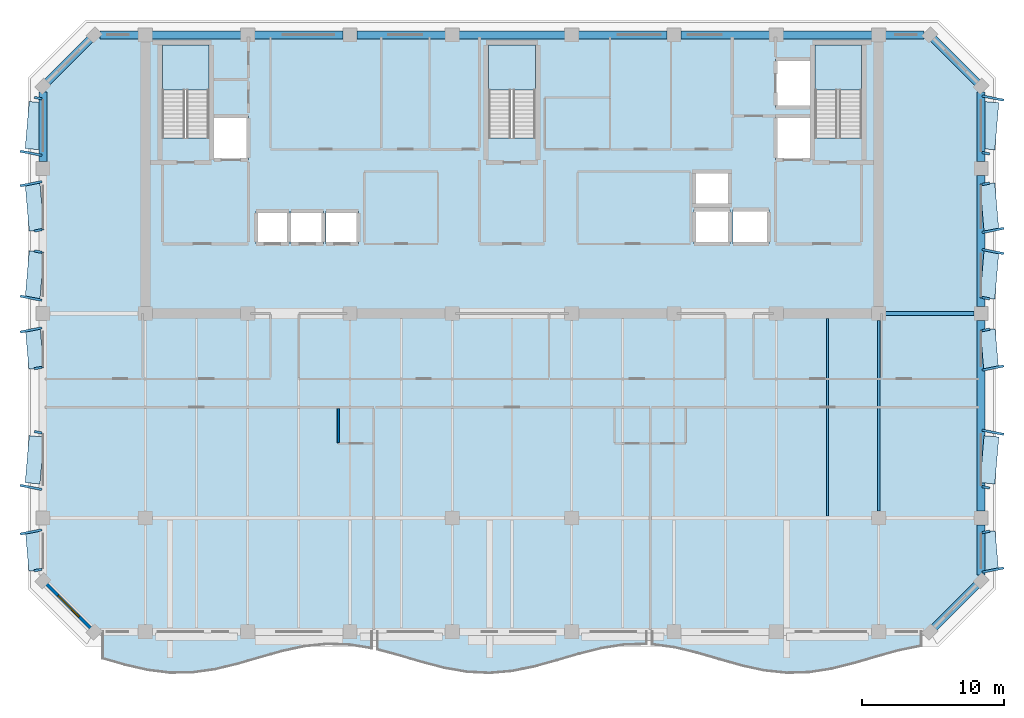
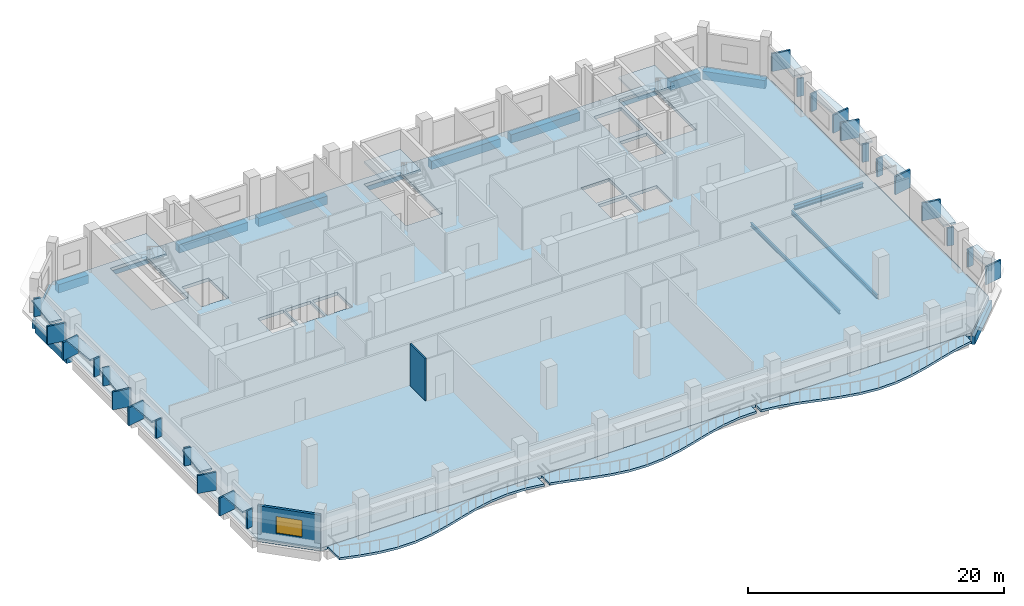
# One storey, part 2 of 10: 36 plates, 20 beams, 7 slabs, 2 walls, 1 window, 1 opening, 3 elements without a shape of their own.
"""IFC4 building model written with IfcOpenShell, lengths in metres."""

from ifc_helpers import new_model, si_unit, direction, frame, frame_2d, origin, origin_2d, place, context, subcontext, project, spatial, polyline, rectangle, i_section, outline, extrude, material, layer, layer_set, material_profile, profile_set, type_object, element, fill, aggregate, save


model = new_model("IFC4")

# Units and contexts
model_context = context("Model", 3, precision=1e-05, world=origin(), true_north=direction((0.0, 1.0)))
body_context = subcontext(model_context, "Body", "Model", "MODEL_VIEW")
ifc_project = project(units=[si_unit("LENGTHUNIT", "METRE"), si_unit("AREAUNIT", "SQUARE_METRE"), si_unit("VOLUMEUNIT", "CUBIC_METRE"), si_unit("PLANEANGLEUNIT", "RADIAN"), si_unit("MASSUNIT", "GRAM", prefix="KILO")], contexts=[model_context])

# Site, building, storey
site_placement = place(None, origin())
site = spatial("IfcSite", under=ifc_project, at=site_placement, CompositionType="ELEMENT")
building_placement = place(site_placement, origin())
building = spatial("IfcBuilding", under=site, at=building_placement, Name="Kaelvorn Grand Hotel", CompositionType="ELEMENT")
storey_placement = place(building_placement, frame((0.0, 0.0, 290.300048828125)))
storey = spatial("IfcBuildingStorey", under=building, at=storey_placement, Name="L71", CompositionType="ELEMENT", Elevation=290.300048828125)

# Beams
ifc_material_1 = material(Name="Steel S355", Category="steel")
ifc_material_profile_1 = material_profile(ifc_material_1, i_section(OverallWidth=0.300048828125, OverallDepth=0.43994140625, WebThickness=0.011474609375, FlangeThickness=0.02099609375, FilletRadius=0.027099609375, at=origin_2d()), Name="HEA 450")
ifc_profile_set_1 = profile_set([ifc_material_profile_1], Name="Steel S355")
beam_type_1 = type_object("IfcBeamType", Name="BM-G-HEA450-S355", PredefinedType="BEAM", material=ifc_profile_set_1)
beam_1_placement = place(storey_placement, frame((68.284912109375, 29.39990234375, -0.52001953125), z_axis=(1.0, 0.0, 0.0), x_axis=(0.0, 1.0, 0.0)))
element("IfcBeam", 1, at=beam_1_placement, inside=storey, type_object=beam_type_1, Name="L71 East Core Wing Steel Girder G-29E 01", PredefinedType="BEAM", context=body_context, shape_type="SweptSolid", body=[
    extrude(i_section(OverallWidth=0.300048828125, OverallDepth=0.43994140625, WebThickness=0.011474609375, FlangeThickness=0.02099609375, FilletRadius=0.027099609375, at=origin_2d()), origin(), (0.0, 0.0, 1.0), 6.22998046875),
])
ifc_material_profile_2 = material_profile(ifc_material_1, i_section(OverallWidth=0.169921875, OverallDepth=0.360107421875, WebThickness=0.008056640625, FlangeThickness=0.0126953125, FilletRadius=0.01806640625, at=origin_2d()), Name="IPE 360")
ifc_profile_set_2 = profile_set([ifc_material_profile_2], Name="Steel S355")
beam_type_2 = type_object("IfcBeamType", Name="BM-J-IPE360-S355", PredefinedType="JOIST", material=ifc_profile_set_2)
beam_2_placement = place(storey_placement, frame((64.199951171875, 15.135009765625, -0.47998046875), z_axis=(0.0, 1.0, 0.0), x_axis=(-1.0, 0.0, 0.0)))
element("IfcBeam", 2, at=beam_2_placement, inside=storey, type_object=beam_type_2, Name="L71 Composite Floor Joist JM-18", PredefinedType="JOIST", context=body_context, shape_type="SweptSolid", body=[
    extrude(i_section(OverallWidth=0.169921875, OverallDepth=0.360107421875, WebThickness=0.008056640625, FlangeThickness=0.0126953125, FilletRadius=0.01806640625, at=origin_2d()), origin(), (0.0, 0.0, 1.0), 13.925048828125),
])
beam_3_placement = place(storey_placement, frame((67.800048828125, 15.485107421875, -0.47998046875), z_axis=(0.0, 1.0, 0.0), x_axis=(-1.0, 0.0, 0.0)))
element("IfcBeam", 3, at=beam_3_placement, inside=storey, type_object=beam_type_2, Name="L71 Composite Floor Joist JM-19", PredefinedType="JOIST", context=body_context, shape_type="SweptSolid", body=[
    extrude(i_section(OverallWidth=0.169921875, OverallDepth=0.360107421875, WebThickness=0.008056640625, FlangeThickness=0.0126953125, FilletRadius=0.01806640625, at=origin_2d()), origin(), (0.0, 0.0, 1.0), 13.429931640625),
])
ifc_material_2 = material(Name="Concrete C50/60", Category="concrete")
ifc_material_profile_3 = material_profile(ifc_material_2, rectangle(XDim=0.550048828125, YDim=0.800048828125, at=origin_2d()), Name="RC SPANDREL 550x800")
ifc_profile_set_3 = profile_set([ifc_material_profile_3], Name="Concrete C50/60")
beam_type_3 = type_object("IfcBeamType", Name="BM-SP-550x800-C50", PredefinedType="SPANDREL", material=ifc_profile_set_3)
beam_4_placement = place(storey_placement, frame((13.0048828125, 49.0, -0.699951171875), z_axis=(1.0, 0.0, 0.0), x_axis=(0.0, 1.0, 0.0)))
element("IfcBeam", 4, at=beam_4_placement, inside=storey, type_object=beam_type_3, Name="L71 North Perimeter Spandrel 01", PredefinedType="SPANDREL", context=body_context, shape_type="SweptSolid", body=[
    extrude(rectangle(XDim=0.550048828125, YDim=0.800048828125, at=origin_2d()), origin(), (0.0, 0.0, 1.0), 2.710205078125),
])
for number, where, z_axis, x_axis, name in (
    (5, (16.68505859375, 49.0, -0.699951171875), (1.0, 0.0, 0.0), (0.0, 1.0, 0.0), "L71 North Perimeter Spandrel 02"),
    (6, (23.885009765625, 49.0, -0.699951171875), (1.0, 0.0, 0.0), (0.0, 1.0, 0.0), "L71 North Perimeter Spandrel 03"),
    (7, (31.0849609375, 49.0, -0.699951171875), (1.0, 0.0, 0.0), (0.0, 1.0, 0.0), "L71 North Perimeter Spandrel 04"),
):
    element("IfcBeam", number, at=place(storey_placement, frame(where, z_axis=z_axis, x_axis=x_axis)), inside=storey, type_object=beam_type_3, Name=name, PredefinedType="SPANDREL", context=body_context, shape_type="SweptSolid", body=[
        extrude(rectangle(XDim=0.550048828125, YDim=0.800048828125, at=origin_2d()), origin(), (0.0, 0.0, 1.0), 6.22998046875),
    ])
beam_5_placement = place(storey_placement, frame((38.284912109375, 49.0, -0.699951171875), z_axis=(1.0, 0.0, 0.0), x_axis=(0.0, 1.0, 0.0)))
element("IfcBeam", 8, at=beam_5_placement, inside=storey, type_object=beam_type_3, Name="L71 North Perimeter Spandrel 05", PredefinedType="SPANDREL", context=body_context, shape_type="SweptSolid", body=[
    extrude(rectangle(XDim=0.550048828125, YDim=0.800048828125, at=origin_2d()), origin(), (0.0, 0.0, 1.0), 7.43017578125),
])
for number, where, z_axis, x_axis, name in (
    (9, (46.68505859375, 49.0, -0.699951171875), (1.0, 0.0, 0.0), (0.0, 1.0, 0.0), "L71 North Perimeter Spandrel 06"),
    (10, (53.885009765625, 49.0, -0.699951171875), (1.0, 0.0, 0.0), (0.0, 1.0, 0.0), "L71 North Perimeter Spandrel 07"),
    (11, (61.0849609375, 49.0, -0.699951171875), (1.0, 0.0, 0.0), (0.0, 1.0, 0.0), "L71 North Perimeter Spandrel 08"),
):
    element("IfcBeam", number, at=place(storey_placement, frame(where, z_axis=z_axis, x_axis=x_axis)), inside=storey, type_object=beam_type_3, Name=name, PredefinedType="SPANDREL", context=body_context, shape_type="SweptSolid", body=[
        extrude(rectangle(XDim=0.550048828125, YDim=0.800048828125, at=origin_2d()), origin(), (0.0, 0.0, 1.0), 6.22998046875),
    ])
beam_6_placement = place(storey_placement, frame((68.284912109375, 49.0, -0.699951171875), z_axis=(1.0, 0.0, 0.0), x_axis=(0.0, 1.0, 0.0)))
element("IfcBeam", 12, at=beam_6_placement, inside=storey, type_object=beam_type_3, Name="L71 North Perimeter Spandrel 09", PredefinedType="SPANDREL", context=body_context, shape_type="SweptSolid", body=[
    extrude(rectangle(XDim=0.550048828125, YDim=0.800048828125, at=origin_2d()), origin(), (0.0, 0.0, 1.0), 2.710205078125),
])
beam_7_placement = place(storey_placement, frame((9.0, 40.0849609375, -0.699951171875), z_axis=(0.0, 1.0, 0.0), x_axis=(-1.0, 0.0, 0.0)))
element("IfcBeam", 13, at=beam_7_placement, inside=storey, type_object=beam_type_3, Name="L71 West Perimeter Spandrel 04", PredefinedType="SPANDREL", context=body_context, shape_type="SweptSolid", body=[
    extrude(rectangle(XDim=0.550048828125, YDim=0.800048828125, at=origin_2d()), origin(), (0.0, 0.0, 1.0), 4.91015625),
])
beam_8_placement = place(storey_placement, frame((75.0, 11.0048828125, -0.699951171875), z_axis=(0.0, 1.0, 0.0), x_axis=(-1.0, 0.0, 0.0)))
element("IfcBeam", 14, at=beam_8_placement, inside=storey, type_object=beam_type_3, Name="L71 East Perimeter Spandrel 01", PredefinedType="SPANDREL", context=body_context, shape_type="SweptSolid", body=[
    extrude(rectangle(XDim=0.550048828125, YDim=0.800048828125, at=origin_2d()), origin(), (0.0, 0.0, 1.0), 3.510009765625),
])
beam_9_placement = place(storey_placement, frame((75.0, 15.485107421875, -0.699951171875), z_axis=(0.0, 1.0, 0.0), x_axis=(-1.0, 0.0, 0.0)))
element("IfcBeam", 15, at=beam_9_placement, inside=storey, type_object=beam_type_3, Name="L71 East Perimeter Spandrel 02", PredefinedType="SPANDREL", context=body_context, shape_type="SweptSolid", body=[
    extrude(rectangle(XDim=0.550048828125, YDim=0.800048828125, at=origin_2d()), origin(), (0.0, 0.0, 1.0), 13.429931640625),
])
beam_10_placement = place(storey_placement, frame((75.0, 29.885009765625, -0.699951171875), z_axis=(0.0, 1.0, 0.0), x_axis=(-1.0, 0.0, 0.0)))
element("IfcBeam", 16, at=beam_10_placement, inside=storey, type_object=beam_type_3, Name="L71 East Perimeter Spandrel 03", PredefinedType="SPANDREL", context=body_context, shape_type="SweptSolid", body=[
    extrude(rectangle(XDim=0.550048828125, YDim=0.800048828125, at=origin_2d()), origin(), (0.0, 0.0, 1.0), 9.22998046875),
])
beam_11_placement = place(storey_placement, frame((75.0, 40.0849609375, -0.699951171875), z_axis=(0.0, 1.0, 0.0), x_axis=(-1.0, 0.0, 0.0)))
element("IfcBeam", 17, at=beam_11_placement, inside=storey, type_object=beam_type_3, Name="L71 East Perimeter Spandrel 04", PredefinedType="SPANDREL", context=body_context, shape_type="SweptSolid", body=[
    extrude(rectangle(XDim=0.550048828125, YDim=0.800048828125, at=origin_2d()), origin(), (0.0, 0.0, 1.0), 4.91015625),
])
for number, where, z_axis, x_axis, name in (
    (18, (71.39990234375, 7.0, -0.699951171875), (0.707106781187, 0.707106781187, 0.0), (-0.707106781187, 0.707106781187, 0.0), "L71 Chamfer Spandrel Beam 1"),
    (19, (75.0, 45.39990234375, -0.699951171875), (-0.707106781187, 0.707106781187, 0.0), (-0.707106781187, -0.707106781187, 0.0), "L71 Chamfer Spandrel Beam 2"),
    (20, (12.60009765625, 49.0, -0.699951171875), (-0.707106781187, -0.707106781187, 0.0), (0.707106781187, -0.707106781187, 0.0), "L71 Chamfer Spandrel Beam 3"),
):
    element("IfcBeam", number, at=place(storey_placement, frame(where, z_axis=z_axis, x_axis=x_axis)), inside=storey, type_object=beam_type_3, Name=name, PredefinedType="SPANDREL", context=body_context, shape_type="SweptSolid", body=[
        extrude(rectangle(XDim=0.550048828125, YDim=0.800048828125, at=origin_2d()), origin(), (0.0, 0.0, 1.0), 5.09130859375),
    ])

# Plates
ifc_material_3 = material(Name="Precast concrete C45/55", Category="concrete")
ifc_layer_1 = layer(ifc_material_3, 0.159912109375)
ifc_layer_set_1 = layer_set([ifc_layer_1], Name="Precast concrete C45/55")
plate_type_1 = type_object("IfcPlateType", Name="PL-FRAME-DEEP-1550", PredefinedType="USERDEFINED", material=ifc_layer_set_1)
for number, where, z_axis, x_axis, name in (
    (21, (75.844970703125, 11.344970703125, 0.73974609375), (0.0, 0.0, 1.0), (-0.190808995377, 0.981627183448, 0.0), "L71 Tilted Precast Window Frame Fin L-E01"),
    (22, (75.844970703125, 21.0400390625, 0.81494140625), (0.0, 0.0, 1.0), (0.190808995377, 0.981627183448, 0.0), "L71 Tilted Precast Window Frame Fin R-E02"),
    (23, (75.844970703125, 25.56005859375, 0.73974609375), (0.0, 0.0, 1.0), (-0.190808995377, 0.981627183448, 0.0), "L71 Tilted Precast Window Frame Fin L-E03"),
    (24, (75.844970703125, 33.7548828125, 0.73974609375), (0.0, 0.0, 1.0), (0.190808995377, 0.981627183448, 0.0), "L71 Tilted Precast Window Frame Fin R-E04"),
    (25, (75.844970703125, 35.2451171875, 0.73974609375), (0.0, 0.0, 1.0), (-0.190808995377, 0.981627183448, 0.0), "L71 Tilted Precast Window Frame Fin L-E05"),
    (26, (75.844970703125, 44.554931640625, 0.81494140625), (0.0, 0.0, 1.0), (0.190808995377, 0.981627183448, 0.0), "L71 Tilted Precast Window Frame Fin R-E06"),
    (27, (8.155029296875, 14.02490234375, 0.73974609375), (0.0, 0.0, 1.0), (-0.190808995377, 0.981627183448, 0.0), "L71 Tilted Precast Window Frame Fin R-W01"),
    (28, (8.155029296875, 17.159912109375, 0.81494140625), (0.0, 0.0, 1.0), (0.190808995377, 0.981627183448, 0.0), "L71 Tilted Precast Window Frame Fin L-W02"),
    (29, (8.155029296875, 28.239990234375, 0.73974609375), (0.0, 0.0, 1.0), (-0.190808995377, 0.981627183448, 0.0), "L71 Tilted Precast Window Frame Fin R-W03"),
    (30, (8.155029296875, 30.47509765625, 0.73974609375), (0.0, 0.0, 1.0), (0.190808995377, 0.981627183448, 0.0), "L71 Tilted Precast Window Frame Fin L-W04"),
    (31, (8.155029296875, 38.52490234375, 0.73974609375), (0.0, 0.0, 1.0), (-0.190808995377, 0.981627183448, 0.0), "L71 Tilted Precast Window Frame Fin R-W05"),
    (32, (8.155029296875, 40.675048828125, 0.81494140625), (0.0, 0.0, 1.0), (0.190808995377, 0.981627183448, 0.0), "L71 Tilted Precast Window Frame Fin L-W06"),
):
    element("IfcPlate", number, at=place(storey_placement, frame(where, z_axis=z_axis, x_axis=x_axis)), inside=storey, type_object=plate_type_1, Name=name, ObjectType="FLANGE_PLATE", PredefinedType="USERDEFINED", context=body_context, shape_type="SweptSolid", body=[
        extrude(rectangle(XDim=0.159912109375, YDim=1.550048828125, at=origin_2d()), origin(), (0.0, 0.0, 1.0), 1.719970703125),
    ])
ifc_layer_2 = layer(ifc_material_3, 0.159912109375)
ifc_layer_set_2 = layer_set([ifc_layer_2], Name="Precast concrete C45/55")
plate_type_2 = type_object("IfcPlateType", Name="PL-FRAME-HEAD-1050", PredefinedType="USERDEFINED", material=ifc_layer_set_2)
plate_1_placement = place(storey_placement, frame((75.594970703125, 12.68505859375, 2.35009765625), z_axis=(0.0, 0.0, 1.0), x_axis=(-0.086286365798, 0.996270376493, 0.0)))
element("IfcPlate", 33, at=plate_1_placement, inside=storey, type_object=plate_type_2, Name="L71 Precast Window Frame Head Hood H-E01", ObjectType="FLANGE_PLATE", PredefinedType="USERDEFINED", context=body_context, shape_type="SweptSolid", body=[
    extrude(rectangle(XDim=2.760009765625, YDim=1.050048828125, at=origin_2d()), origin(), (0.0, 0.0, 1.0), 0.159912109375),
])
plate_2_placement = place(storey_placement, frame((75.594970703125, 19.10009765625, 2.5), z_axis=(0.0, 0.0, 1.0), x_axis=(0.086286365798, 0.996270376493, 0.0)))
element("IfcPlate", 34, at=plate_2_placement, inside=storey, type_object=plate_type_2, Name="L71 Precast Window Frame Head Hood H-E02", ObjectType="FLANGE_PLATE", PredefinedType="USERDEFINED", context=body_context, shape_type="SweptSolid", body=[
    extrude(rectangle(XDim=3.320068359375, YDim=1.050048828125, at=origin_2d()), origin(), (0.0, 0.0, 1.0), 0.159912109375),
])
plate_3_placement = place(storey_placement, frame((75.594970703125, 26.89990234375, 2.35009765625), z_axis=(0.0, 0.0, 1.0), x_axis=(-0.086286365798, 0.996270376493, 0.0)))
element("IfcPlate", 35, at=plate_3_placement, inside=storey, type_object=plate_type_2, Name="L71 Precast Window Frame Head Hood H-E03", ObjectType="FLANGE_PLATE", PredefinedType="USERDEFINED", context=body_context, shape_type="SweptSolid", body=[
    extrude(rectangle(XDim=2.760009765625, YDim=1.050048828125, at=origin_2d()), origin(), (0.0, 0.0, 1.0), 0.159912109375),
])
for number, where, z_axis, x_axis, name in (
    (36, (75.594970703125, 32.114990234375, 2.35009765625), (0.0, 0.0, 1.0), (0.086286365798, 0.996270376493, 0.0), "L71 Precast Window Frame Head Hood H-E04"),
    (37, (75.594970703125, 36.885009765625, 2.35009765625), (0.0, 0.0, 1.0), (-0.086286365798, 0.996270376493, 0.0), "L71 Precast Window Frame Head Hood H-E05"),
    (38, (75.594970703125, 42.614990234375, 2.5), (0.0, 0.0, 1.0), (0.086286365798, 0.996270376493, 0.0), "L71 Precast Window Frame Head Hood H-E06"),
):
    element("IfcPlate", number, at=place(storey_placement, frame(where, z_axis=z_axis, x_axis=x_axis)), inside=storey, type_object=plate_type_2, Name=name, ObjectType="FLANGE_PLATE", PredefinedType="USERDEFINED", context=body_context, shape_type="SweptSolid", body=[
        extrude(rectangle(XDim=3.320068359375, YDim=1.050048828125, at=origin_2d()), origin(), (0.0, 0.0, 1.0), 0.159912109375),
    ])
plate_4_placement = place(storey_placement, frame((8.405029296875, 12.68505859375, 2.35009765625), z_axis=(0.0, 0.0, 1.0), x_axis=(-0.086286365798, 0.996270376493, 0.0)))
element("IfcPlate", 39, at=plate_4_placement, inside=storey, type_object=plate_type_2, Name="L71 Precast Window Frame Head Hood H-W01", ObjectType="FLANGE_PLATE", PredefinedType="USERDEFINED", context=body_context, shape_type="SweptSolid", body=[
    extrude(rectangle(XDim=2.760009765625, YDim=1.050048828125, at=origin_2d()), origin(), (0.0, 0.0, 1.0), 0.159912109375),
])
plate_5_placement = place(storey_placement, frame((8.405029296875, 19.10009765625, 2.5), z_axis=(0.0, 0.0, 1.0), x_axis=(0.086286365798, 0.996270376493, 0.0)))
element("IfcPlate", 40, at=plate_5_placement, inside=storey, type_object=plate_type_2, Name="L71 Precast Window Frame Head Hood H-W02", ObjectType="FLANGE_PLATE", PredefinedType="USERDEFINED", context=body_context, shape_type="SweptSolid", body=[
    extrude(rectangle(XDim=3.320068359375, YDim=1.050048828125, at=origin_2d()), origin(), (0.0, 0.0, 1.0), 0.159912109375),
])
plate_6_placement = place(storey_placement, frame((8.405029296875, 26.89990234375, 2.35009765625), z_axis=(0.0, 0.0, 1.0), x_axis=(-0.086286365798, 0.996270376493, 0.0)))
element("IfcPlate", 41, at=plate_6_placement, inside=storey, type_object=plate_type_2, Name="L71 Precast Window Frame Head Hood H-W03", ObjectType="FLANGE_PLATE", PredefinedType="USERDEFINED", context=body_context, shape_type="SweptSolid", body=[
    extrude(rectangle(XDim=2.760009765625, YDim=1.050048828125, at=origin_2d()), origin(), (0.0, 0.0, 1.0), 0.159912109375),
])
for number, where, z_axis, x_axis, name in (
    (42, (8.405029296875, 32.114990234375, 2.35009765625), (0.0, 0.0, 1.0), (0.086286365798, 0.996270376493, 0.0), "L71 Precast Window Frame Head Hood H-W04"),
    (43, (8.405029296875, 36.885009765625, 2.35009765625), (0.0, 0.0, 1.0), (-0.086286365798, 0.996270376493, 0.0), "L71 Precast Window Frame Head Hood H-W05"),
    (44, (8.405029296875, 42.614990234375, 2.5), (0.0, 0.0, 1.0), (0.086286365798, 0.996270376493, 0.0), "L71 Precast Window Frame Head Hood H-W06"),
):
    element("IfcPlate", number, at=place(storey_placement, frame(where, z_axis=z_axis, x_axis=x_axis)), inside=storey, type_object=plate_type_2, Name=name, ObjectType="FLANGE_PLATE", PredefinedType="USERDEFINED", context=body_context, shape_type="SweptSolid", body=[
        extrude(rectangle(XDim=3.320068359375, YDim=1.050048828125, at=origin_2d()), origin(), (0.0, 0.0, 1.0), 0.159912109375),
    ])
ifc_layer_3 = layer(ifc_material_3, 0.159912109375)
ifc_layer_set_3 = layer_set([ifc_layer_3], Name="Precast concrete C45/55")
plate_type_3 = type_object("IfcPlateType", Name="PL-FRAME-SHAL-550", PredefinedType="USERDEFINED", material=ifc_layer_set_3)
for number, where, z_axis, x_axis, name in (
    (45, (75.344970703125, 14.02490234375, 0.73974609375), (0.0, 0.0, 1.0), (-0.190808995377, 0.981627183448, 0.0), "L71 Tilted Precast Window Frame Fin R-E01"),
    (46, (75.344970703125, 17.159912109375, 0.81494140625), (0.0, 0.0, 1.0), (0.190808995377, 0.981627183448, 0.0), "L71 Tilted Precast Window Frame Fin L-E02"),
    (47, (75.344970703125, 28.239990234375, 0.73974609375), (0.0, 0.0, 1.0), (-0.190808995377, 0.981627183448, 0.0), "L71 Tilted Precast Window Frame Fin R-E03"),
    (48, (75.344970703125, 30.47509765625, 0.73974609375), (0.0, 0.0, 1.0), (0.190808995377, 0.981627183448, 0.0), "L71 Tilted Precast Window Frame Fin L-E04"),
    (49, (75.344970703125, 38.52490234375, 0.73974609375), (0.0, 0.0, 1.0), (-0.190808995377, 0.981627183448, 0.0), "L71 Tilted Precast Window Frame Fin R-E05"),
    (50, (75.344970703125, 40.675048828125, 0.81494140625), (0.0, 0.0, 1.0), (0.190808995377, 0.981627183448, 0.0), "L71 Tilted Precast Window Frame Fin L-E06"),
    (51, (8.655029296875, 11.344970703125, 0.73974609375), (0.0, 0.0, 1.0), (-0.190808995377, 0.981627183448, 0.0), "L71 Tilted Precast Window Frame Fin L-W01"),
    (52, (8.655029296875, 21.0400390625, 0.81494140625), (0.0, 0.0, 1.0), (0.190808995377, 0.981627183448, 0.0), "L71 Tilted Precast Window Frame Fin R-W02"),
    (53, (8.655029296875, 25.56005859375, 0.73974609375), (0.0, 0.0, 1.0), (-0.190808995377, 0.981627183448, 0.0), "L71 Tilted Precast Window Frame Fin L-W03"),
    (54, (8.655029296875, 33.7548828125, 0.73974609375), (0.0, 0.0, 1.0), (0.190808995377, 0.981627183448, 0.0), "L71 Tilted Precast Window Frame Fin R-W04"),
    (55, (8.655029296875, 35.2451171875, 0.73974609375), (0.0, 0.0, 1.0), (-0.190808995377, 0.981627183448, 0.0), "L71 Tilted Precast Window Frame Fin L-W05"),
    (56, (8.655029296875, 44.554931640625, 0.81494140625), (0.0, 0.0, 1.0), (0.190808995377, 0.981627183448, 0.0), "L71 Tilted Precast Window Frame Fin R-W06"),
):
    element("IfcPlate", number, at=place(storey_placement, frame(where, z_axis=z_axis, x_axis=x_axis)), inside=storey, type_object=plate_type_3, Name=name, ObjectType="FLANGE_PLATE", PredefinedType="USERDEFINED", context=body_context, shape_type="SweptSolid", body=[
        extrude(rectangle(XDim=0.159912109375, YDim=0.550048828125, at=origin_2d()), origin(), (0.0, 0.0, 1.0), 1.719970703125),
    ])

# Slabs
ifc_material_4 = material(Name="Concrete C40/50", Category="concrete")
ifc_layer_4 = layer(ifc_material_4, 0.219970703125)
ifc_layer_set_4 = layer_set([ifc_layer_4], Name="Concrete C40/50")
slab_type_1 = type_object("IfcSlabType", Name="SLB-BALC-220-C40", PredefinedType="FLOOR", material=ifc_layer_set_4)
slab_1_placement = place(storey_placement, frame((0.0, 0.0, -0.219970703125)))
element("IfcSlab", 57, at=slab_1_placement, inside=storey, type_object=slab_type_1, Name="L71 Scalloped Wave Balcony Slab 1", PredefinedType="FLOOR", context=body_context, shape_type="SweptSolid", body=[
    extrude(outline(polyline([(13.199951171875, 5.125), (14.77783203125, 4.6708984375), (16.35546875, 4.310791015625), (17.933349609375, 4.119140625), (19.51123046875, 4.1357421875), (21.0888671875, 4.357177734375), (22.666748046875, 4.7373046875), (24.244384765625, 5.19775390625), (25.822265625, 5.643310546875), (27.39990234375, 5.9814453125), (28.977783203125, 6.142333984375), (30.5556640625, 6.092529296875), (32.13330078125, 5.8427734375), (32.13330078125, 7.0), (13.199951171875, 7.0), (13.199951171875, 5.125)])), origin(), (0.0, 0.0, 1.0), 0.219970703125),
])
slab_2_placement = place(storey_placement, frame((0.0, 0.0, -0.219970703125)))
element("IfcSlab", 58, at=slab_2_placement, inside=storey, type_object=slab_type_1, Name="L71 Scalloped Wave Balcony Slab 2", PredefinedType="FLOOR", context=body_context, shape_type="SweptSolid", body=[
    extrude(outline(polyline([(32.533447265625, 5.7529296875), (34.111083984375, 5.3291015625), (35.68896484375, 4.86279296875), (37.2666015625, 4.450927734375), (38.844482421875, 4.1787109375), (40.422119140625, 4.10205078125), (42.0, 4.2373046875), (43.577880859375, 4.55615234375), (45.155517578125, 4.992919921875), (46.7333984375, 5.456787109375), (48.31103515625, 5.85205078125), (49.888916015625, 6.096923828125), (51.466552734375, 6.140625), (51.466552734375, 7.0), (32.533447265625, 7.0), (32.533447265625, 5.7529296875)])), origin(), (0.0, 0.0, 1.0), 0.219970703125),
])
slab_3_placement = place(storey_placement, frame((0.0, 0.0, -0.219970703125)))
element("IfcSlab", 59, at=slab_3_placement, inside=storey, type_object=slab_type_1, Name="L71 Scalloped Wave Balcony Slab 3", PredefinedType="FLOOR", context=body_context, shape_type="SweptSolid", body=[
    extrude(outline(polyline([(51.86669921875, 6.11767578125), (53.4443359375, 5.901611328125), (55.022216796875, 5.52490234375), (56.60009765625, 5.0654296875), (58.177734375, 4.6181640625), (59.755615234375, 4.27587890625), (61.333251953125, 4.109375), (62.9111328125, 4.153076171875), (64.48876953125, 4.39794921875), (66.066650390625, 4.793212890625), (67.64453125, 5.257080078125), (69.22216796875, 5.69384765625), (70.800048828125, 6.0126953125), (70.800048828125, 7.0), (51.86669921875, 7.0), (51.86669921875, 6.11767578125)])), origin(), (0.0, 0.0, 1.0), 0.219970703125),
])
ifc_layer_5 = layer(ifc_material_4, 0.300048828125)
ifc_layer_set_5 = layer_set([ifc_layer_5], Name="Concrete C40/50")
slab_type_2 = type_object("IfcSlabType", Name="SLB-FLR-300-C40", PredefinedType="FLOOR", material=ifc_layer_set_5)
slab_4_placement = place(storey_placement, frame((0.0, 0.0, -0.300048828125)))
element("IfcSlab", 60, at=slab_4_placement, inside=storey, type_object=slab_type_2, Name="L71 Indoor Suspended Floor Slab", PredefinedType="FLOOR", context=body_context, shape_type="SweptSolid", body=[
    extrude(outline(polyline([(12.60009765625, 7.0), (71.39990234375, 7.0), (75.0, 10.60009765625), (75.0, 45.39990234375), (71.39990234375, 49.0), (12.60009765625, 49.0), (9.0, 45.39990234375), (9.0, 10.60009765625), (12.60009765625, 7.0)]), holes=[polyline([(17.39990234375, 41.760009765625), (17.39990234375, 48.300048828125), (20.679931640625, 48.300048828125), (20.679931640625, 41.760009765625), (17.39990234375, 41.760009765625)]), polyline([(40.360107421875, 41.760009765625), (40.360107421875, 48.300048828125), (43.639892578125, 48.300048828125), (43.639892578125, 41.760009765625), (40.360107421875, 41.760009765625)]), polyline([(63.320068359375, 41.760009765625), (63.320068359375, 48.300048828125), (66.60009765625, 48.300048828125), (66.60009765625, 41.760009765625), (63.320068359375, 41.760009765625)]), polyline([(24.0, 34.300048828125), (24.0, 36.60009765625), (26.300048828125, 36.60009765625), (26.300048828125, 34.300048828125), (24.0, 34.300048828125)]), polyline([(26.449951171875, 34.300048828125), (26.449951171875, 36.60009765625), (28.75, 36.60009765625), (28.75, 34.300048828125), (26.449951171875, 34.300048828125)]), polyline([(28.89990234375, 34.300048828125), (28.89990234375, 36.60009765625), (31.199951171875, 36.60009765625), (31.199951171875, 34.300048828125), (28.89990234375, 34.300048828125)]), polyline([(54.800048828125, 34.300048828125), (54.800048828125, 36.699951171875), (57.35009765625, 36.699951171875), (57.35009765625, 34.300048828125), (54.800048828125, 34.300048828125)]), polyline([(57.550048828125, 34.300048828125), (57.550048828125, 36.699951171875), (60.10009765625, 36.699951171875), (60.10009765625, 34.300048828125), (57.550048828125, 34.300048828125)]), polyline([(54.800048828125, 37.0), (54.800048828125, 39.39990234375), (57.35009765625, 39.39990234375), (57.35009765625, 37.0), (54.800048828125, 37.0)]), polyline([(21.0, 40.199951171875), (21.0, 43.300048828125), (23.449951171875, 43.300048828125), (23.449951171875, 40.199951171875), (21.0, 40.199951171875)]), polyline([(60.550048828125, 40.199951171875), (60.550048828125, 43.300048828125), (63.0, 43.300048828125), (63.0, 40.199951171875), (60.550048828125, 40.199951171875)]), polyline([(60.550048828125, 43.89990234375), (60.550048828125, 47.300048828125), (63.0, 47.300048828125), (63.0, 43.89990234375), (60.550048828125, 43.89990234375)])]), origin(), (0.0, 0.0, 1.0), 0.300048828125),
])

# Stair, slab
stair_type = type_object("IfcStairType", Name="STR-DOG-1560-R10", PredefinedType="HALF_TURN_STAIR", material=ifc_material_4)
stair_1_placement = place(storey_placement, origin())
stair_1 = element("IfcStair", 61, at=stair_1_placement, inside=storey, type_object=stair_type, Name="L71 West Core Exit Stair ST1", PredefinedType="HALF_TURN_STAIR")
ifc_layer_6 = layer(ifc_material_4, 0.199951171875)
ifc_layer_set_6 = layer_set([ifc_layer_6], Name="Concrete C40/50")
slab_type_3 = type_object("IfcSlabType", Name="SLB-LAND-200-C40", PredefinedType="LANDING", material=ifc_layer_set_6)
slab_5_placement = place(storey_placement, frame((0.0, 0.0, 2.0)))
slab_5 = element("IfcSlab", 62, at=slab_5_placement, type_object=slab_type_3, Name="ST1 landing 1", PredefinedType="LANDING", context=body_context, shape_type="SweptSolid", body=[
    extrude(outline(polyline([(20.679931640625, 45.1201171875), (20.679931640625, 48.300048828125), (17.39990234375, 48.300048828125), (17.39990234375, 45.1201171875), (20.679931640625, 45.1201171875)])), origin(), (0.0, 0.0, 1.0), 0.199951171875),
])
aggregate(stair_1, [slab_5])

stair_2_placement = place(storey_placement, origin())
stair_2 = element("IfcStair", 63, at=stair_2_placement, inside=storey, type_object=stair_type, Name="L71 Central Core Exit Stair ST2", PredefinedType="HALF_TURN_STAIR")
slab_6_placement = place(storey_placement, frame((0.0, 0.0, 2.0)))
slab_6 = element("IfcSlab", 64, at=slab_6_placement, type_object=slab_type_3, Name="ST2 landing 1", PredefinedType="LANDING", context=body_context, shape_type="SweptSolid", body=[
    extrude(outline(polyline([(43.639892578125, 45.1201171875), (43.639892578125, 48.300048828125), (40.360107421875, 48.300048828125), (40.360107421875, 45.1201171875), (43.639892578125, 45.1201171875)])), origin(), (0.0, 0.0, 1.0), 0.199951171875),
])
aggregate(stair_2, [slab_6])

stair_3_placement = place(storey_placement, origin())
stair_3 = element("IfcStair", 65, at=stair_3_placement, inside=storey, type_object=stair_type, Name="L71 East Core Exit Stair ST3", PredefinedType="HALF_TURN_STAIR")
slab_7_placement = place(storey_placement, frame((0.0, 0.0, 2.0)))
slab_7 = element("IfcSlab", 66, at=slab_7_placement, type_object=slab_type_3, Name="ST3 landing 1", PredefinedType="LANDING", context=body_context, shape_type="SweptSolid", body=[
    extrude(outline(polyline([(66.60009765625, 45.1201171875), (66.60009765625, 48.300048828125), (63.320068359375, 48.300048828125), (63.320068359375, 45.1201171875), (66.60009765625, 45.1201171875)])), origin(), (0.0, 0.0, 1.0), 0.199951171875),
])
aggregate(stair_3, [slab_7])

# Wall, opening, window
ifc_layer_7 = layer(ifc_material_4, 0.219970703125)
ifc_layer_set_7 = layer_set([ifc_layer_7], Name="Concrete C40/50")
wall_type_1 = type_object("IfcWallType", Name="WL-EXT-220-C40", PredefinedType="SOLIDWALL", material=ifc_layer_set_7)
wall_1_placement = place(storey_placement, frame((9.0, 10.60009765625, 0.0), z_axis=(0.0, 0.0, 1.0), x_axis=(0.707106781187, -0.707106781187, 0.0)))
wall_1 = element("IfcWall", 67, at=wall_1_placement, inside=storey, type_object=wall_type_1, Name="L71 Exterior Architectural Concrete Wall 08", PredefinedType="SOLIDWALL", context=body_context, shape_type="SweptSolid", body=[
    extrude(rectangle(XDim=5.09130859375, YDim=0.219970703125, at=frame_2d((2.545654296875, 0.0))), origin(), (0.0, 0.0, 1.0), 3.219970703125),
])
opening_placement = place(wall_1_placement, frame((1.49560546875, 0.0, 0.85009765625)))
opening = element("IfcOpeningElement", 68, at=opening_placement, cuts=wall_1, Name="Opening W7", PredefinedType="OPENING", context=body_context, shape_type="SweptSolid", body=[
    extrude(rectangle(XDim=2.10009765625, YDim=1.60009765625, at=frame_2d((1.050048828125, 0.800048828125))), frame((0.0, 0.1201171875, 0.0), z_axis=(0.0, -1.0, 0.0), x_axis=(1.0, 0.0, 0.0)), (0.0, 0.0, 1.0), 0.239990234375),
])
ifc_material_5 = material(Name="Laminated Low-E Glass", Category="glass")
window_type = type_object("IfcWindowType", Name="WIN-CHM-2100x1600", PartitioningType="SINGLE_PANEL", PredefinedType="WINDOW", material=ifc_material_5)
window_placement = place(opening_placement, origin())
window = element("IfcWindow", 69, at=window_placement, inside=storey, type_object=window_type, Name="L71 Chamfered 45-Degree Corner Window SW", OverallHeight=1.60009765625, OverallWidth=2.10009765625, PartitioningType="SINGLE_PANEL", PredefinedType="WINDOW", context=body_context, shape_type="SweptSolid", body=[
    extrude(rectangle(XDim=2.10009765625, YDim=1.60009765625, at=frame_2d((1.050048828125, 0.800048828125))), frame((0.0, 0.030029296875, 0.0), z_axis=(0.0, -1.0, 0.0), x_axis=(1.0, 0.0, 0.0)), (0.0, 0.0, 1.0), 0.06005859375),
])
fill(opening, window)

# Wall
ifc_material_6 = material(Name="Moisture-Resistant Tile & Stud Board")
ifc_layer_8 = layer(ifc_material_6, 0.125)
ifc_layer_set_8 = layer_set([ifc_layer_8], Name="Moisture-Resistant Tile & Stud Board")
wall_type_2 = type_object("IfcWallType", Name="WL-PART-125-WET", PredefinedType="PARTITIONING", material=ifc_layer_set_8)
wall_2_placement = place(storey_placement, frame((29.783203125, 20.3173828125, 0.0), z_axis=(0.0, 0.0, 1.0), x_axis=(0.0, 1.0, 0.0)))
element("IfcWall", 70, at=wall_2_placement, inside=storey, type_object=wall_type_2, Name="L71 En-suite Bathroom L71-01 W Partition", PredefinedType="PARTITIONING", context=body_context, shape_type="SweptSolid", body=[
    extrude(rectangle(XDim=2.3876953125, YDim=0.125, at=frame_2d((1.19384765625, 0.0))), origin(), (0.0, 0.0, 1.0), 4.02001953125),
])

save(model, "model.ifc")
